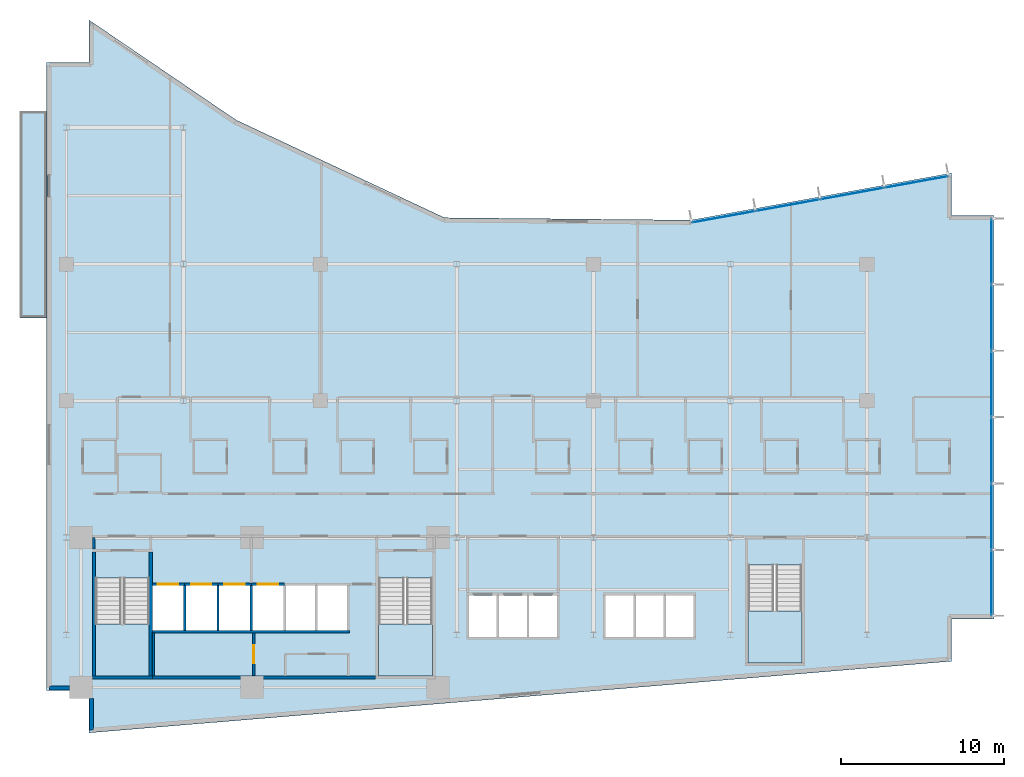
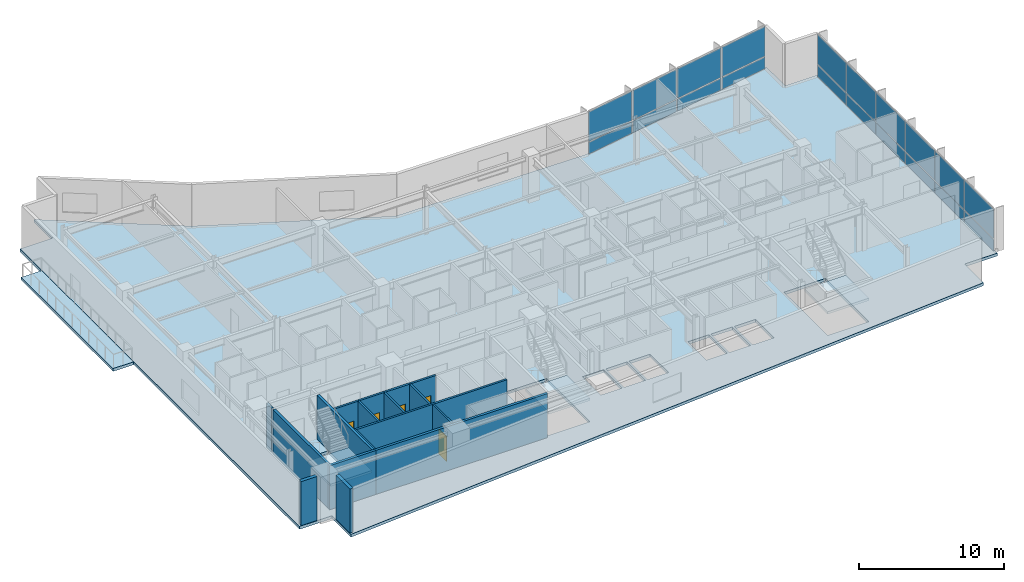
# One storey, part 11 of 21: 20 plates, 17 walls, 5 doors, 5 slabs, 5 openings, 5 elements without a shape of their own.
"""IFC4 building model written with IfcOpenShell, lengths in metres."""

import ifcopenshell
import ifcopenshell.guid

model = None  # the IFC model being written
_history = None  # IfcOwnerHistory: only IFC2X3 demands one
_inside = {}  # id of a spatial element -> (the spatial element, [elements in it])
_under = {}  # id of a project, library or spatial element -> (it, [spatial elements below it])
_declared = {}  # id of a project -> (the project, [libraries it declares])
_typed = {}  # id of a type object -> (the type object, [elements of that type])
_made_of = {}  # id of a material, layer set ... -> (it, [elements and type objects made of it])


def new_model(schema):
    """Start an empty IFC model of exactly this schema.

    Asked for "IFC4X3", IfcOpenShell would pick the latest addendum, in which some entities
    have other attributes; the version numbers below select the first issue.
    IFC2X3 requires an IfcOwnerHistory on every rooted entity: one is made here for all.
    """
    global model, _history
    if schema == "IFC4X3":
        model = ifcopenshell.file(schema_version=(4, 3, 0, 0))
    else:
        model = ifcopenshell.file(schema=schema)
    _inside.clear()
    _under.clear()
    _declared.clear()
    _typed.clear()
    _made_of.clear()
    _history = None
    if model.schema == "IFC2X3":
        org = make("IfcOrganization", Name="unknown")
        user = make(
            "IfcPersonAndOrganization",
            ThePerson=make("IfcPerson", FamilyName="unknown"),
            TheOrganization=org,
        )
        app = make(
            "IfcApplication",
            ApplicationDeveloper=org,
            Version="unknown",
            ApplicationFullName="unknown",
            ApplicationIdentifier="unknown",
        )
        _history = make(
            "IfcOwnerHistory",
            OwningUser=user,
            OwningApplication=app,
            ChangeAction="ADDED",
            CreationDate=0,
        )
    return model


def make(cls, **values):
    """One entity of the class cls with the attributes given. An attribute that is None is left unset."""
    return model.create_entity(
        cls, **{name: value for name, value in values.items() if value is not None}
    )


def rooted(cls, **values):
    """An entity with a GlobalId (a new one), such as an element, a storey or a relation."""
    return make(cls, GlobalId=ifcopenshell.guid.new(), OwnerHistory=_history, **values)


def si_unit(unit_type, name, prefix=None):
    """IfcSIUnit, for example si_unit("LENGTHUNIT", "METRE", prefix="MILLI")."""
    return make("IfcSIUnit", UnitType=unit_type, Prefix=prefix, Name=name)


def assignment(units):
    """IfcUnitAssignment: the units of a project."""
    return None if units is None else make("IfcUnitAssignment", Units=units)


def point(xyz):
    """IfcCartesianPoint."""
    return None if xyz is None else make("IfcCartesianPoint", Coordinates=xyz)


def direction(xyz):
    """IfcDirection."""
    return None if xyz is None else make("IfcDirection", DirectionRatios=xyz)


def frame(location, z_axis=None, x_axis=None):
    """IfcAxis2Placement3D, a coordinate frame: its origin and axes. An axis left out is left unset."""
    return make(
        "IfcAxis2Placement3D",
        Location=point(location),
        Axis=direction(z_axis),
        RefDirection=direction(x_axis),
    )


def frame_2d(location, x_axis=None):
    """IfcAxis2Placement2D, a coordinate frame in the plane: its origin and x axis."""
    return make(
        "IfcAxis2Placement2D", Location=point(location), RefDirection=direction(x_axis)
    )


def origin():
    """The frame at (0, 0, 0) with its axes left unset."""
    return frame((0.0, 0.0, 0.0))


def origin_2d():
    """The frame at (0, 0) in the plane with its x axis left unset."""
    return frame_2d((0.0, 0.0))


def place(relative_to, where):
    """IfcLocalPlacement: puts the frame where relative to a parent placement (None: the world)."""
    return make(
        "IfcLocalPlacement", PlacementRelTo=relative_to, RelativePlacement=where
    )


def context(
    kind, dimensions, precision=None, world=None, true_north=None, identifier=None
):
    """IfcGeometricRepresentationContext, for example the 3D "Model" context."""
    return make(
        "IfcGeometricRepresentationContext",
        ContextIdentifier=identifier,
        ContextType=kind,
        CoordinateSpaceDimension=dimensions,
        Precision=precision,
        WorldCoordinateSystem=world,
        TrueNorth=true_north,
    )


def subcontext(parent, identifier, kind, view, scale=None):
    """IfcGeometricRepresentationSubContext, for example "Body" below "Model"."""
    return make(
        "IfcGeometricRepresentationSubContext",
        ContextIdentifier=identifier,
        ContextType=kind,
        ParentContext=parent,
        TargetScale=scale,
        TargetView=view,
    )


def project(units=None, contexts=None):
    """IfcProject with its units and contexts."""
    return rooted(
        "IfcProject",
        Name="project",
        RepresentationContexts=contexts,
        UnitsInContext=assignment(units),
    )


def spatial(cls, under=None, at=None, **own):
    """A site, building, storey or space (cls), placed at a placement, below another one or the project."""
    s = rooted(cls, ObjectPlacement=at, **own)
    if under is not None:
        _under.setdefault(under.id(), (under, []))[1].append(s)
    return s


def polyline(points):
    """IfcPolyline through the points."""
    return make("IfcPolyline", Points=[point(p) for p in points])


def profile(cls, at=None, kind="AREA", **sizes):
    """A parametric profile (cls). Its sizes go by their IFC names, for example OverallWidth=200.0."""
    return make(cls, ProfileType=kind, Position=at, **sizes)


def rectangle(**sizes):
    """IfcRectangleProfileDef."""
    return profile("IfcRectangleProfileDef", **sizes)


def outline(outer, holes=None, kind="AREA"):
    """IfcArbitraryClosedProfileDef: a profile drawn as a closed curve; with holes, ...WithVoids."""
    if holes is None:
        return make("IfcArbitraryClosedProfileDef", ProfileType=kind, OuterCurve=outer)
    return make(
        "IfcArbitraryProfileDefWithVoids",
        ProfileType=kind,
        OuterCurve=outer,
        InnerCurves=holes,
    )


def extrude(swept, where, along, depth):
    """IfcExtrudedAreaSolid: the profile swept, set in the frame where, extruded along a direction by depth."""
    return make(
        "IfcExtrudedAreaSolid",
        SweptArea=swept,
        Position=where,
        ExtrudedDirection=direction(along),
        Depth=depth,
    )


def shape(context_of_items, identifier, shape_type, items):
    """IfcShapeRepresentation: the items that make up one representation, for example the "Body"."""
    return make(
        "IfcShapeRepresentation",
        ContextOfItems=context_of_items,
        RepresentationIdentifier=identifier,
        RepresentationType=shape_type,
        Items=items,
    )


def material(Name=None, Category=None):
    """IfcMaterial."""
    return make("IfcMaterial", Name=Name, Category=Category)


def layer(
    of_material, thickness, ventilated=None, Name=None, Category=None, Priority=None
):
    """IfcMaterialLayer: one layer of a wall or slab, of a material (None: an air gap)."""
    return make(
        "IfcMaterialLayer",
        Material=of_material,
        LayerThickness=thickness,
        IsVentilated=ventilated,
        Name=Name,
        Category=Category,
        Priority=Priority,
    )


def layer_set(layers, Name=None):
    """IfcMaterialLayerSet."""
    return make("IfcMaterialLayerSet", MaterialLayers=layers, LayerSetName=Name)


def made_of(thing, what):
    """Note that an element or type object is made of a material, layer set ...; save() writes the relation."""
    if what is not None:
        _made_of.setdefault(what.id(), (what, []))[1].append(thing)
    return thing


def type_object(cls, material=None, **own):
    """A type object (cls), such as IfcWallType, which elements share."""
    return made_of(rooted(cls, **own), material)


def element(
    cls,
    number,
    at=None,
    inside=None,
    cuts=None,
    type_object=None,
    material=None,
    context=None,
    identifier="Body",
    shape_type=None,
    held_by="IfcProductDefinitionShape",
    body=None,
    shapes=None,
    **own,
):
    """One element of the class cls, such as IfcWall. Its Tag is "e" and its number.

    at: its placement. inside: the storey or other place that contains it. cuts: it is an
    opening in that element (IfcRelVoidsElement). A single representation is given by context,
    identifier, shape_type and body (its items); several are given by shapes. held_by: the class
    of the entity that holds the representations. save() writes the other relations.
    """
    e = rooted(cls, Tag="e%d" % number, ObjectPlacement=at, **own)
    if body is not None:
        shapes = [shape(context, identifier, shape_type, body)]
    if shapes is not None:
        e.Representation = make(held_by, Representations=shapes)
    if inside is not None:
        _inside.setdefault(inside.id(), (inside, []))[1].append(e)
    if cuts is not None:
        rooted(
            "IfcRelVoidsElement", RelatingBuildingElement=cuts, RelatedOpeningElement=e
        )
    if type_object is not None:
        _typed.setdefault(type_object.id(), (type_object, []))[1].append(e)
    return made_of(e, material)


def fill(opening, filler):
    """IfcRelFillsElement: the door or window that sits in an opening."""
    return rooted(
        "IfcRelFillsElement",
        RelatingOpeningElement=opening,
        RelatedBuildingElement=filler,
    )


def aggregate(whole, parts):
    """IfcRelAggregates: a whole, such as a stair, and the parts it consists of."""
    return rooted("IfcRelAggregates", RelatingObject=whole, RelatedObjects=parts)


def save(model, path):
    """Write the relations noted so far, then the file.

    IfcRelAggregates (storeys below a building ...), IfcRelContainedInSpatialStructure (elements
    in a storey), IfcRelDefinesByType, IfcRelAssociatesMaterial and IfcRelDeclares: one each for
    every whole, place, type object, material and project.
    """
    for whole, parts in _under.values():
        aggregate(whole, parts)
    for where, things in _inside.values():
        rooted(
            "IfcRelContainedInSpatialStructure",
            RelatedElements=things,
            RelatingStructure=where,
        )
    for kind, things in _typed.values():
        rooted("IfcRelDefinesByType", RelatedObjects=things, RelatingType=kind)
    for what, things in _made_of.values():
        rooted("IfcRelAssociatesMaterial", RelatedObjects=things, RelatingMaterial=what)
    for by, libraries in _declared.values():
        rooted("IfcRelDeclares", RelatingContext=by, RelatedDefinitions=libraries)
    model.write(path)


model = new_model("IFC4")

# Units and contexts
model_context = context("Model", 3, precision=1e-05, world=origin(), true_north=direction((0.0, 1.0)))
body_context = subcontext(model_context, "Body", "Model", "MODEL_VIEW")
ifc_project = project(units=[si_unit("LENGTHUNIT", "METRE"), si_unit("AREAUNIT", "SQUARE_METRE"), si_unit("VOLUMEUNIT", "CUBIC_METRE"), si_unit("PLANEANGLEUNIT", "RADIAN"), si_unit("MASSUNIT", "GRAM", prefix="KILO")], contexts=[model_context])

# Site, building, storey
site_placement = place(None, origin())
site = spatial("IfcSite", under=ifc_project, at=site_placement, CompositionType="ELEMENT")
building_placement = place(site_placement, origin())
building = spatial("IfcBuilding", under=site, at=building_placement, Name="Varnakote Quay Hospital", CompositionType="ELEMENT")
storey_placement = place(building_placement, frame((0.0, 0.0, 38.300048828125)))
storey = spatial("IfcBuildingStorey", under=building, at=storey_placement, Name="L09", CompositionType="ELEMENT", Elevation=38.300048828125)

# Curtain wall, plates
ifc_material_1 = material(Name="Anodised aluminium 6063-T6 Bronze", Category="aluminium")
ifc_layer_1 = layer(ifc_material_1, 0.18994140625)
ifc_layer_set_1 = layer_set([ifc_layer_1], Name="Anodised aluminium 6063-T6 Bronze")
curtain_wall_type = type_object("IfcCurtainWallType", Name="CW-SYS-2", PredefinedType="NOTDEFINED", material=ifc_layer_set_1)
curtain_wall_1_placement = place(storey_placement, origin())
curtain_wall_1 = element("IfcCurtainWall", 1, at=curtain_wall_1_placement, inside=storey, type_object=curtain_wall_type, Name="L09 Unitised Bronze Curtain Wall 1", PredefinedType="NOTDEFINED")
ifc_material_2 = material(Name="Double-glazed acoustic laminated glass", Category="glass")
ifc_layer_2 = layer(ifc_material_2, 0.031982421875)
ifc_layer_set_2 = layer_set([ifc_layer_2], Name="Double-glazed acoustic laminated glass")
plate_type = type_object("IfcPlateType", Name="CW-PNL-GLZ-32", PredefinedType="CURTAIN_PANEL", material=ifc_layer_set_2)
plate_1_placement = place(storey_placement, frame((58.0400390625, 9.21875, 0.07470703125), z_axis=(0.0, 0.0, 1.0), x_axis=(0.0, 1.0, 0.0)))
plate_1 = element("IfcPlate", 2, at=plate_1_placement, type_object=plate_type, Name="-2-L09-1 panel 1.1", PredefinedType="CURTAIN_PANEL", context=body_context, shape_type="SweptSolid", body=[
    extrude(rectangle(XDim=3.967529296875, YDim=0.031982421875, at=origin_2d()), origin(), (0.0, 0.0, 1.0), 0.987548828125),
])
plate_2_placement = place(storey_placement, frame((58.0400390625, 9.21875, 1.137451171875), z_axis=(0.0, 0.0, 1.0), x_axis=(0.0, 1.0, 0.0)))
plate_2 = element("IfcPlate", 3, at=plate_2_placement, type_object=plate_type, Name="-2-L09-1 panel 1.2", PredefinedType="CURTAIN_PANEL", context=body_context, shape_type="SweptSolid", body=[
    extrude(rectangle(XDim=3.967529296875, YDim=0.031982421875, at=origin_2d()), origin(), (0.0, 0.0, 1.0), 2.49755859375),
])
plate_3_placement = place(storey_placement, frame((58.0400390625, 13.280029296875, 0.07470703125), z_axis=(0.0, 0.0, 1.0), x_axis=(0.0, 1.0, 0.0)))
plate_3 = element("IfcPlate", 4, at=plate_3_placement, type_object=plate_type, Name="-2-L09-1 panel 2.1", PredefinedType="CURTAIN_PANEL", context=body_context, shape_type="SweptSolid", body=[
    extrude(rectangle(XDim=4.0048828125, YDim=0.031982421875, at=origin_2d()), origin(), (0.0, 0.0, 1.0), 0.987548828125),
])
plate_4_placement = place(storey_placement, frame((58.0400390625, 13.280029296875, 1.137451171875), z_axis=(0.0, 0.0, 1.0), x_axis=(0.0, 1.0, 0.0)))
plate_4 = element("IfcPlate", 5, at=plate_4_placement, type_object=plate_type, Name="-2-L09-1 panel 2.2", PredefinedType="CURTAIN_PANEL", context=body_context, shape_type="SweptSolid", body=[
    extrude(rectangle(XDim=4.0048828125, YDim=0.031982421875, at=origin_2d()), origin(), (0.0, 0.0, 1.0), 2.49755859375),
])
plate_5_placement = place(storey_placement, frame((58.0400390625, 17.360107421875, 0.07470703125), z_axis=(0.0, 0.0, 1.0), x_axis=(0.0, 1.0, 0.0)))
plate_5 = element("IfcPlate", 6, at=plate_5_placement, type_object=plate_type, Name="-2-L09-1 panel 3.1", PredefinedType="CURTAIN_PANEL", context=body_context, shape_type="SweptSolid", body=[
    extrude(rectangle(XDim=4.0048828125, YDim=0.031982421875, at=origin_2d()), origin(), (0.0, 0.0, 1.0), 0.987548828125),
])
plate_6_placement = place(storey_placement, frame((58.0400390625, 17.360107421875, 1.137451171875), z_axis=(0.0, 0.0, 1.0), x_axis=(0.0, 1.0, 0.0)))
plate_6 = element("IfcPlate", 7, at=plate_6_placement, type_object=plate_type, Name="-2-L09-1 panel 3.2", PredefinedType="CURTAIN_PANEL", context=body_context, shape_type="SweptSolid", body=[
    extrude(rectangle(XDim=4.0048828125, YDim=0.031982421875, at=origin_2d()), origin(), (0.0, 0.0, 1.0), 2.49755859375),
])
plate_7_placement = place(storey_placement, frame((58.0400390625, 21.43994140625, 0.07470703125), z_axis=(0.0, 0.0, 1.0), x_axis=(0.0, 1.0, 0.0)))
plate_7 = element("IfcPlate", 8, at=plate_7_placement, type_object=plate_type, Name="-2-L09-1 panel 4.1", PredefinedType="CURTAIN_PANEL", context=body_context, shape_type="SweptSolid", body=[
    extrude(rectangle(XDim=4.0048828125, YDim=0.031982421875, at=origin_2d()), origin(), (0.0, 0.0, 1.0), 0.987548828125),
])
plate_8_placement = place(storey_placement, frame((58.0400390625, 21.43994140625, 1.137451171875), z_axis=(0.0, 0.0, 1.0), x_axis=(0.0, 1.0, 0.0)))
plate_8 = element("IfcPlate", 9, at=plate_8_placement, type_object=plate_type, Name="-2-L09-1 panel 4.2", PredefinedType="CURTAIN_PANEL", context=body_context, shape_type="SweptSolid", body=[
    extrude(rectangle(XDim=4.0048828125, YDim=0.031982421875, at=origin_2d()), origin(), (0.0, 0.0, 1.0), 2.49755859375),
])
plate_9_placement = place(storey_placement, frame((58.0400390625, 25.52001953125, 0.07470703125), z_axis=(0.0, 0.0, 1.0), x_axis=(0.0, 1.0, 0.0)))
plate_9 = element("IfcPlate", 10, at=plate_9_placement, type_object=plate_type, Name="-2-L09-1 panel 5.1", PredefinedType="CURTAIN_PANEL", context=body_context, shape_type="SweptSolid", body=[
    extrude(rectangle(XDim=4.0048828125, YDim=0.031982421875, at=origin_2d()), origin(), (0.0, 0.0, 1.0), 0.987548828125),
])
plate_10_placement = place(storey_placement, frame((58.0400390625, 25.52001953125, 1.137451171875), z_axis=(0.0, 0.0, 1.0), x_axis=(0.0, 1.0, 0.0)))
plate_10 = element("IfcPlate", 11, at=plate_10_placement, type_object=plate_type, Name="-2-L09-1 panel 5.2", PredefinedType="CURTAIN_PANEL", context=body_context, shape_type="SweptSolid", body=[
    extrude(rectangle(XDim=4.0048828125, YDim=0.031982421875, at=origin_2d()), origin(), (0.0, 0.0, 1.0), 2.49755859375),
])
plate_11_placement = place(storey_placement, frame((58.0400390625, 29.581298828125, 0.07470703125), z_axis=(0.0, 0.0, 1.0), x_axis=(0.0, 1.0, 0.0)))
plate_11 = element("IfcPlate", 12, at=plate_11_placement, type_object=plate_type, Name="-2-L09-1 panel 6.1", PredefinedType="CURTAIN_PANEL", context=body_context, shape_type="SweptSolid", body=[
    extrude(rectangle(XDim=3.967529296875, YDim=0.031982421875, at=origin_2d()), origin(), (0.0, 0.0, 1.0), 0.987548828125),
])
plate_12_placement = place(storey_placement, frame((58.0400390625, 29.581298828125, 1.137451171875), z_axis=(0.0, 0.0, 1.0), x_axis=(0.0, 1.0, 0.0)))
plate_12 = element("IfcPlate", 13, at=plate_12_placement, type_object=plate_type, Name="-2-L09-1 panel 6.2", PredefinedType="CURTAIN_PANEL", context=body_context, shape_type="SweptSolid", body=[
    extrude(rectangle(XDim=3.967529296875, YDim=0.031982421875, at=origin_2d()), origin(), (0.0, 0.0, 1.0), 2.49755859375),
])
aggregate(curtain_wall_1, [plate_1, plate_2, plate_3, plate_4, plate_5, plate_6, plate_7, plate_8, plate_9, plate_10, plate_11, plate_12])

curtain_wall_2_placement = place(storey_placement, origin())
curtain_wall_2 = element("IfcCurtainWall", 14, at=curtain_wall_2_placement, inside=storey, type_object=curtain_wall_type, Name="L09 Unitised Bronze Curtain Wall 2", PredefinedType="NOTDEFINED")
plate_13_placement = place(storey_placement, frame((53.440185546875, 33.84716796875, 0.07470703125), z_axis=(0.0, 0.0, 1.0), x_axis=(-0.984058295766, -0.177846199098, 0.0)))
plate_13 = element("IfcPlate", 15, at=plate_13_placement, type_object=plate_type, Name="-2-L09-2 panel 1.1", PredefinedType="CURTAIN_PANEL", context=body_context, shape_type="SweptSolid", body=[
    extrude(rectangle(XDim=3.914306640625, YDim=0.031982421875, at=origin_2d()), origin(), (0.0, 0.0, 1.0), 0.987548828125),
])
plate_14_placement = place(storey_placement, frame((53.440185546875, 33.84716796875, 1.137451171875), z_axis=(0.0, 0.0, 1.0), x_axis=(-0.984058295766, -0.177846199098, 0.0)))
plate_14 = element("IfcPlate", 16, at=plate_14_placement, type_object=plate_type, Name="-2-L09-2 panel 1.2", PredefinedType="CURTAIN_PANEL", context=body_context, shape_type="SweptSolid", body=[
    extrude(rectangle(XDim=3.914306640625, YDim=0.031982421875, at=origin_2d()), origin(), (0.0, 0.0, 1.0), 2.49755859375),
])
plate_15_placement = place(storey_placement, frame((49.49609375, 33.13427734375, 0.07470703125), z_axis=(0.0, 0.0, 1.0), x_axis=(-0.984058295766, -0.177846199098, 0.0)))
plate_15 = element("IfcPlate", 17, at=plate_15_placement, type_object=plate_type, Name="-2-L09-2 panel 2.1", PredefinedType="CURTAIN_PANEL", context=body_context, shape_type="SweptSolid", body=[
    extrude(rectangle(XDim=3.951904296875, YDim=0.031982421875, at=origin_2d()), origin(), (0.0, 0.0, 1.0), 0.987548828125),
])
plate_16_placement = place(storey_placement, frame((49.49609375, 33.13427734375, 1.137451171875), z_axis=(0.0, 0.0, 1.0), x_axis=(-0.984058295766, -0.177846199098, 0.0)))
plate_16 = element("IfcPlate", 18, at=plate_16_placement, type_object=plate_type, Name="-2-L09-2 panel 2.2", PredefinedType="CURTAIN_PANEL", context=body_context, shape_type="SweptSolid", body=[
    extrude(rectangle(XDim=3.951904296875, YDim=0.031982421875, at=origin_2d()), origin(), (0.0, 0.0, 1.0), 2.49755859375),
])
plate_17_placement = place(storey_placement, frame((45.533447265625, 32.418212890625, 0.07470703125), z_axis=(0.0, 0.0, 1.0), x_axis=(-0.984058295766, -0.177846199098, 0.0)))
plate_17 = element("IfcPlate", 19, at=plate_17_placement, type_object=plate_type, Name="-2-L09-2 panel 3.1", PredefinedType="CURTAIN_PANEL", context=body_context, shape_type="SweptSolid", body=[
    extrude(rectangle(XDim=3.951904296875, YDim=0.031982421875, at=origin_2d()), origin(), (0.0, 0.0, 1.0), 0.987548828125),
])
plate_18_placement = place(storey_placement, frame((45.533447265625, 32.418212890625, 1.137451171875), z_axis=(0.0, 0.0, 1.0), x_axis=(-0.984058295766, -0.177846199098, 0.0)))
plate_18 = element("IfcPlate", 20, at=plate_18_placement, type_object=plate_type, Name="-2-L09-2 panel 3.2", PredefinedType="CURTAIN_PANEL", context=body_context, shape_type="SweptSolid", body=[
    extrude(rectangle(XDim=3.951904296875, YDim=0.031982421875, at=origin_2d()), origin(), (0.0, 0.0, 1.0), 2.49755859375),
])
plate_19_placement = place(storey_placement, frame((41.58935546875, 31.705322265625, 0.07470703125), z_axis=(0.0, 0.0, 1.0), x_axis=(-0.984058295766, -0.177846199098, 0.0)))
plate_19 = element("IfcPlate", 21, at=plate_19_placement, type_object=plate_type, Name="-2-L09-2 panel 4.1", PredefinedType="CURTAIN_PANEL", context=body_context, shape_type="SweptSolid", body=[
    extrude(rectangle(XDim=3.914306640625, YDim=0.031982421875, at=origin_2d()), origin(), (0.0, 0.0, 1.0), 0.987548828125),
])
plate_20_placement = place(storey_placement, frame((41.58935546875, 31.705322265625, 1.137451171875), z_axis=(0.0, 0.0, 1.0), x_axis=(-0.984058295766, -0.177846199098, 0.0)))
plate_20 = element("IfcPlate", 22, at=plate_20_placement, type_object=plate_type, Name="-2-L09-2 panel 4.2", PredefinedType="CURTAIN_PANEL", context=body_context, shape_type="SweptSolid", body=[
    extrude(rectangle(XDim=3.914306640625, YDim=0.031982421875, at=origin_2d()), origin(), (0.0, 0.0, 1.0), 2.49755859375),
])
aggregate(curtain_wall_2, [plate_13, plate_14, plate_15, plate_16, plate_17, plate_18, plate_19, plate_20])

# Stair, slab
ifc_material_3 = material(Name="Concrete N40 (f'c 40 MPa)", Category="concrete")
stair_type = type_object("IfcStairType", Name="STR-CORE-1580", PredefinedType="HALF_TURN_STAIR", material=ifc_material_3)
stair_1_placement = place(storey_placement, origin())
stair_1 = element("IfcStair", 23, at=stair_1_placement, inside=storey, type_object=stair_type, Name="L09 Fire-Isolated Exit Stair ST-01", PredefinedType="HALF_TURN_STAIR")
ifc_material_4 = material(Name="Concrete N40 (f'c 40 MPa)", Category="concrete")
ifc_layer_3 = layer(ifc_material_4, 0.199951171875)
ifc_layer_set_3 = layer_set([ifc_layer_3], Name="Concrete N40 (f'c 40 MPa)")
slab_type_1 = type_object("IfcSlabType", Name="SLB-STAIR-LND-200", PredefinedType="LANDING", material=ifc_layer_set_3)
slab_1_placement = place(storey_placement, frame((0.0, 0.0, 1.77490234375)))
slab_1 = element("IfcSlab", 24, at=slab_1_placement, type_object=slab_type_1, Name="ST-01 landing 1", PredefinedType="LANDING", context=body_context, shape_type="SweptSolid", body=[
    extrude(outline(polyline([(3.0, 6.699951171875), (3.0, 3.5), (6.300048828125, 3.5), (6.300048828125, 6.699951171875), (3.0, 6.699951171875)])), origin(), (0.0, 0.0, 1.0), 0.199951171875),
])
aggregate(stair_1, [slab_1])

stair_2_placement = place(storey_placement, origin())
stair_2 = element("IfcStair", 25, at=stair_2_placement, inside=storey, type_object=stair_type, Name="L09 Fire-Isolated Exit Stair ST-02", PredefinedType="HALF_TURN_STAIR")
slab_2_placement = place(storey_placement, frame((0.0, 0.0, 1.77490234375)))
slab_2 = element("IfcSlab", 26, at=slab_2_placement, type_object=slab_type_1, Name="ST-02 landing 1", PredefinedType="LANDING", context=body_context, shape_type="SweptSolid", body=[
    extrude(outline(polyline([(20.39990234375, 6.699951171875), (20.39990234375, 3.5), (23.699951171875, 3.5), (23.699951171875, 6.699951171875), (20.39990234375, 6.699951171875)])), origin(), (0.0, 0.0, 1.0), 0.199951171875),
])
aggregate(stair_2, [slab_2])

stair_3_placement = place(storey_placement, origin())
stair_3 = element("IfcStair", 27, at=stair_3_placement, inside=storey, type_object=stair_type, Name="L09 Fire-Isolated Exit Stair ST-03", PredefinedType="HALF_TURN_STAIR")
slab_3_placement = place(storey_placement, frame((0.0, 0.0, 1.77490234375)))
slab_3 = element("IfcSlab", 28, at=slab_3_placement, type_object=slab_type_1, Name="ST-03 landing 1", PredefinedType="LANDING", context=body_context, shape_type="SweptSolid", body=[
    extrude(outline(polyline([(43.10009765625, 7.5), (43.10009765625, 4.300048828125), (46.39990234375, 4.300048828125), (46.39990234375, 7.5), (43.10009765625, 7.5)])), origin(), (0.0, 0.0, 1.0), 0.199951171875),
])
aggregate(stair_3, [slab_3])

# Slabs
ifc_material_5 = material(Name="Concrete N50 (f'c 50 MPa)", Category="concrete")
ifc_layer_4 = layer(ifc_material_5, 0.239990234375)
ifc_layer_set_4 = layer_set([ifc_layer_4], Name="Concrete N50 (f'c 50 MPa)")
slab_type_2 = type_object("IfcSlabType", Name="SLB-TERR-200", PredefinedType="FLOOR", material=ifc_layer_set_4)
slab_4_placement = place(storey_placement, frame((0.0, 0.0, -0.239990234375)))
element("IfcSlab", 29, at=slab_4_placement, inside=storey, type_object=slab_type_2, Name="L09 Waterfront Healing Terrace Slab", PredefinedType="FLOOR", context=body_context, shape_type="SweptSolid", body=[
    extrude(outline(polyline([(0.00390625, 25.5), (0.00390625, 38.199951171875), (-1.639892578125, 38.199951171875), (-1.639892578125, 25.5), (0.00390625, 25.5)])), origin(), (0.0, 0.0, 1.0), 0.239990234375),
])
ifc_material_6 = material(Name="Concrete N50 (f'c 50 MPa)", Category="concrete")
ifc_layer_5 = layer(ifc_material_6, 0.239990234375)
ifc_layer_set_5 = layer_set([ifc_layer_5], Name="Concrete N50 (f'c 50 MPa)")
slab_type_3 = type_object("IfcSlabType", Name="SLB-WARD-200", PredefinedType="FLOOR", material=ifc_layer_set_5)
slab_5_placement = place(storey_placement, frame((0.0, 0.0, -0.239990234375)))
element("IfcSlab", 30, at=slab_5_placement, inside=storey, type_object=slab_type_3, Name="L09 Primary Floor Slab", PredefinedType="FLOOR", context=body_context, shape_type="SweptSolid", body=[
    extrude(outline(polyline([(0.0, 2.60009765625), (2.60009765625, 2.60009765625), (2.60009765625, 0.0), (55.60009765625, 4.39990234375), (55.60009765625, 7.0), (58.199951171875, 7.0), (58.199951171875, 31.800048828125), (55.60009765625, 31.800048828125), (55.60009765625, 34.39990234375), (39.575927734375, 31.50390625), (24.444091796875, 31.652099609375), (11.639892578125, 37.656005859375), (2.60009765625, 43.800048828125), (2.60009765625, 41.199951171875), (0.0, 41.199951171875), (0.0, 2.60009765625)]), holes=[polyline([(3.0, 3.5), (6.300048828125, 3.5), (6.300048828125, 9.49951171875), (3.0, 9.49951171875), (3.0, 3.5)]), polyline([(20.39990234375, 3.5), (23.699951171875, 3.5), (23.699951171875, 9.49951171875), (20.39990234375, 9.49951171875), (20.39990234375, 3.5)]), polyline([(43.10009765625, 4.300048828125), (46.39990234375, 4.300048828125), (46.39990234375, 10.29931640625), (43.10009765625, 10.29931640625), (43.10009765625, 4.300048828125)]), polyline([(6.5, 6.300048828125), (8.39990234375, 6.300048828125), (8.39990234375, 9.050048828125), (6.5, 9.050048828125), (6.5, 6.300048828125)]), polyline([(8.550048828125, 6.300048828125), (10.449951171875, 6.300048828125), (10.449951171875, 9.050048828125), (8.550048828125, 9.050048828125), (8.550048828125, 6.300048828125)]), polyline([(10.60009765625, 6.300048828125), (12.5, 6.300048828125), (12.5, 9.050048828125), (10.60009765625, 9.050048828125), (10.60009765625, 6.300048828125)]), polyline([(12.64990234375, 6.300048828125), (14.550048828125, 6.300048828125), (14.550048828125, 9.050048828125), (12.64990234375, 9.050048828125), (12.64990234375, 6.300048828125)]), polyline([(14.699951171875, 6.300048828125), (16.5, 6.300048828125), (16.5, 9.050048828125), (14.699951171875, 9.050048828125), (14.699951171875, 6.300048828125)]), polyline([(16.64990234375, 6.300048828125), (18.449951171875, 6.300048828125), (18.449951171875, 9.050048828125), (16.64990234375, 9.050048828125), (16.64990234375, 6.300048828125)]), polyline([(25.949951171875, 5.89990234375), (27.64990234375, 5.89990234375), (27.64990234375, 8.449951171875), (25.949951171875, 8.449951171875), (25.949951171875, 5.89990234375)]), polyline([(27.800048828125, 5.89990234375), (29.5, 5.89990234375), (29.5, 8.449951171875), (27.800048828125, 8.449951171875), (27.800048828125, 5.89990234375)]), polyline([(29.64990234375, 5.89990234375), (31.35009765625, 5.89990234375), (31.35009765625, 8.449951171875), (29.64990234375, 8.449951171875), (29.64990234375, 5.89990234375)]), polyline([(34.35009765625, 5.89990234375), (36.050048828125, 5.89990234375), (36.050048828125, 8.449951171875), (34.35009765625, 8.449951171875), (34.35009765625, 5.89990234375)]), polyline([(36.199951171875, 5.89990234375), (37.89990234375, 5.89990234375), (37.89990234375, 8.449951171875), (36.199951171875, 8.449951171875), (36.199951171875, 5.89990234375)]), polyline([(38.050048828125, 5.89990234375), (39.75, 5.89990234375), (39.75, 8.449951171875), (38.050048828125, 8.449951171875), (38.050048828125, 5.89990234375)])]), origin(), (0.0, 0.0, 1.0), 0.239990234375),
])

# Walls
ifc_material_7 = material(Name="Fire-rated acoustic gypsum stud wall", Category="gypsum")
ifc_layer_6 = layer(ifc_material_7, 0.159912109375)
ifc_layer_set_6 = layer_set([ifc_layer_6], Name="Fire-rated acoustic gypsum stud wall")
wall_type_1 = type_object("IfcWallType", Name="WL-COMP-160", PredefinedType="PARTITIONING", material=ifc_layer_set_6)
wall_1_placement = place(storey_placement, frame((2.8798828125, 11.300048828125, 0.0), z_axis=(0.0, 0.0, 1.0), x_axis=(0.0, 1.0, 0.0)))
element("IfcWall", 31, at=wall_1_placement, inside=storey, type_object=wall_type_1, Name="L09 West Stair Vestibule West Wall", PredefinedType="PARTITIONING", context=body_context, shape_type="SweptSolid", body=[
    extrude(rectangle(XDim=0.699951171875, YDim=0.159912109375, at=frame_2d((0.35009765625, 0.0))), origin(), (0.0, 0.0, 1.0), 3.7099609375),
])
ifc_material_8 = material(Name="Concrete N80 (f'c 80 MPa)", Category="concrete")
ifc_layer_7 = layer(ifc_material_8, 0.199951171875)
ifc_layer_set_7 = layer_set([ifc_layer_7], Name="Concrete N80 (f'c 80 MPa)")
wall_type_2 = type_object("IfcWallType", Name="WL-CORE-N80-200", PredefinedType="SHEAR", material=ifc_layer_set_7)
wall_2_placement = place(storey_placement, frame((6.5, 3.39990234375, 0.0), z_axis=(0.0, 0.0, 1.0), x_axis=(1.0, 0.0, 0.0)))
element("IfcWall", 32, at=wall_2_placement, inside=storey, type_object=wall_type_2, Name="L09 Rear Core South Shear Wall", PredefinedType="SHEAR", context=body_context, shape_type="SweptSolid", body=[
    extrude(rectangle(XDim=13.699951171875, YDim=0.199951171875, at=frame_2d((6.85009765625, 0.0))), origin(), (0.0, 0.0, 1.0), 3.7099609375),
])
ifc_material_9 = material(Name="Precast concrete N50 (f'c 50 MPa)", Category="concrete")
ifc_layer_8 = layer(ifc_material_9, 0.260009765625)
ifc_layer_set_8 = layer_set([ifc_layer_8], Name="Precast concrete N50 (f'c 50 MPa)")
wall_type_3 = type_object("IfcWallType", Name="WL-EXT-BRICK-260", PredefinedType="STANDARD", material=ifc_layer_set_8)
wall_3_placement = place(storey_placement, frame((2.760009765625, 2.114990234375, 0.0), z_axis=(0.0, 0.0, 1.0), x_axis=(0.0, -1.0, 0.0)))
element("IfcWall", 33, at=wall_3_placement, inside=storey, type_object=wall_type_3, Name="L09 Brick-Faced Precast Exterior Wall", PredefinedType="STANDARD", context=body_context, shape_type="SweptSolid", body=[
    extrude(rectangle(XDim=1.941162109375, YDim=0.260009765625, at=frame_2d((0.970703125, 0.0))), origin(), (0.0, 0.0, 1.0), 3.7099609375),
])
wall_4_placement = place(storey_placement, frame((0.159912109375, 2.760009765625, 0.0), z_axis=(0.0, 0.0, 1.0), x_axis=(1.0, 0.0, 0.0)))
element("IfcWall", 34, at=wall_4_placement, inside=storey, type_object=wall_type_3, Name="L09 Brick-Faced Precast Exterior Wall", PredefinedType="STANDARD", context=body_context, shape_type="SweptSolid", body=[
    extrude(rectangle(XDim=1.255126953125, YDim=0.260009765625, at=frame_2d((0.62744140625, 0.0))), origin(), (0.0, 0.0, 1.0), 3.7099609375),
])
ifc_material_10 = material(Name="Concrete N50 (f'c 50 MPa)", Category="concrete")
ifc_layer_9 = layer(ifc_material_10, 0.14990234375)
ifc_layer_set_9 = layer_set([ifc_layer_9], Name="Concrete N50 (f'c 50 MPa)")
wall_type_4 = type_object("IfcWallType", Name="WL-SHAFT-N50-150", PredefinedType="SHEAR", material=ifc_layer_set_9)
for number, where, z_axis, x_axis, name in (
    (35, (8.47509765625, 6.300048828125, 0.0), (0.0, 0.0, 1.0), (0.0, 1.0, 0.0), "L09 LF-FF1 Hoistway Divider Wall"),
    (36, (10.52490234375, 6.300048828125, 0.0), (0.0, 0.0, 1.0), (0.0, 1.0, 0.0), "L09 LF-FF2 Hoistway Divider Wall"),
    (37, (12.574951171875, 6.300048828125, 0.0), (0.0, 0.0, 1.0), (0.0, 1.0, 0.0), "L09 LF-SV1 Hoistway Divider Wall"),
):
    element("IfcWall", number, at=place(storey_placement, frame(where, z_axis=z_axis, x_axis=x_axis)), inside=storey, type_object=wall_type_4, Name=name, PredefinedType="SHEAR", context=body_context, shape_type="SweptSolid", body=[
        extrude(rectangle(XDim=2.75, YDim=0.14990234375, at=frame_2d((1.375, 0.0))), origin(), (0.0, 0.0, 1.0), 3.7099609375),
    ])
ifc_material_11 = material(Name="Concrete N50 (f'c 50 MPa)", Category="concrete")
ifc_layer_10 = layer(ifc_material_11, 0.159912109375)
ifc_layer_set_10 = layer_set([ifc_layer_10], Name="Concrete N50 (f'c 50 MPa)")
wall_type_5 = type_object("IfcWallType", Name="WL-SHAFT-N50-160", PredefinedType="SHEAR", material=ifc_layer_set_10)
wall_5_placement = place(storey_placement, frame((6.5, 6.219970703125, 0.0), z_axis=(0.0, 0.0, 1.0), x_axis=(1.0, 0.0, 0.0)))
element("IfcWall", 38, at=wall_5_placement, inside=storey, type_object=wall_type_5, Name="L09 REAR Lift Bank Back Shear Wall", PredefinedType="SHEAR", context=body_context, shape_type="SweptSolid", body=[
    extrude(rectangle(XDim=12.110107421875, YDim=0.159912109375, at=frame_2d((6.05517578125, 0.0))), origin(), (0.0, 0.0, 1.0), 3.7099609375),
])

# Wall, opening, door
wall_6_placement = place(storey_placement, frame((6.5, 9.1298828125, 0.0), z_axis=(0.0, 0.0, 1.0), x_axis=(1.0, 0.0, 0.0)))
wall_6 = element("IfcWall", 39, at=wall_6_placement, inside=storey, type_object=wall_type_5, Name="L09 LF-FF1 Hoistway Front Wall", PredefinedType="SHEAR", context=body_context, shape_type="SweptSolid", body=[
    extrude(rectangle(XDim=1.97509765625, YDim=0.159912109375, at=frame_2d((0.987548828125, 0.0))), origin(), (0.0, 0.0, 1.0), 3.7099609375),
])
opening_1_placement = place(wall_6_placement, frame((0.324951171875, 0.0, 0.0)))
opening_1 = element("IfcOpeningElement", 40, at=opening_1_placement, cuts=wall_6, Name="Opening LD-FF1-L09", PredefinedType="OPENING", context=body_context, shape_type="SweptSolid", body=[
    extrude(rectangle(XDim=1.25, YDim=2.14990234375, at=frame_2d((0.625, 1.074951171875))), frame((0.0, 0.08984375, 0.0), z_axis=(0.0, -1.0, 0.0), x_axis=(1.0, 0.0, 0.0)), (0.0, 0.0, 1.0), 0.179931640625),
])
ifc_material_12 = material(Name="Stainless steel lift landing sliding door", Category="steel")
door_type_1 = type_object("IfcDoorType", Name="DR-LIFT-LD-1250x2150", OperationType="NOTDEFINED", PredefinedType="DOOR", material=ifc_material_12)
door_1_placement = place(opening_1_placement, origin())
door_1 = element("IfcDoor", 41, at=door_1_placement, inside=storey, type_object=door_type_1, Name="L09 LF-FF1 Lift Landing Sliding Door", OperationType="SLIDING_TO_LEFT", OverallHeight=2.14990234375, OverallWidth=1.25, PredefinedType="DOOR", context=body_context, shape_type="SweptSolid", body=[
    extrude(rectangle(XDim=1.25, YDim=2.14990234375, at=frame_2d((0.625, 1.074951171875))), frame((0.0, 0.02490234375, 0.0), z_axis=(0.0, -1.0, 0.0), x_axis=(1.0, 0.0, 0.0)), (0.0, 0.0, 1.0), 0.050048828125),
])
fill(opening_1, door_1)

wall_7_placement = place(storey_placement, frame((8.47509765625, 9.1298828125, 0.0), z_axis=(0.0, 0.0, 1.0), x_axis=(1.0, 0.0, 0.0)))
wall_7 = element("IfcWall", 42, at=wall_7_placement, inside=storey, type_object=wall_type_5, Name="L09 LF-FF2 Hoistway Front Wall", PredefinedType="SHEAR", context=body_context, shape_type="SweptSolid", body=[
    extrude(rectangle(XDim=2.0498046875, YDim=0.159912109375, at=frame_2d((1.02490234375, 0.0))), origin(), (0.0, 0.0, 1.0), 3.7099609375),
])
opening_2_placement = place(wall_7_placement, frame((0.39990234375, 0.0, 0.0)))
opening_2 = element("IfcOpeningElement", 43, at=opening_2_placement, cuts=wall_7, Name="Opening LD-FF2-L09", PredefinedType="OPENING", context=body_context, shape_type="SweptSolid", body=[
    extrude(rectangle(XDim=1.25, YDim=2.14990234375, at=frame_2d((0.625, 1.074951171875))), frame((0.0, 0.08984375, 0.0), z_axis=(0.0, -1.0, 0.0), x_axis=(1.0, 0.0, 0.0)), (0.0, 0.0, 1.0), 0.179931640625),
])
door_2_placement = place(opening_2_placement, origin())
door_2 = element("IfcDoor", 44, at=door_2_placement, inside=storey, type_object=door_type_1, Name="L09 LF-FF2 Lift Landing Sliding Door", OperationType="SLIDING_TO_LEFT", OverallHeight=2.14990234375, OverallWidth=1.25, PredefinedType="DOOR", context=body_context, shape_type="SweptSolid", body=[
    extrude(rectangle(XDim=1.25, YDim=2.14990234375, at=frame_2d((0.625, 1.074951171875))), frame((0.0, 0.02490234375, 0.0), z_axis=(0.0, -1.0, 0.0), x_axis=(1.0, 0.0, 0.0)), (0.0, 0.0, 1.0), 0.050048828125),
])
fill(opening_2, door_2)

wall_8_placement = place(storey_placement, frame((10.52490234375, 9.1298828125, 0.0), z_axis=(0.0, 0.0, 1.0), x_axis=(1.0, 0.0, 0.0)))
wall_8 = element("IfcWall", 45, at=wall_8_placement, inside=storey, type_object=wall_type_5, Name="L09 LF-SV1 Hoistway Front Wall", PredefinedType="SHEAR", context=body_context, shape_type="SweptSolid", body=[
    extrude(rectangle(XDim=2.050048828125, YDim=0.159912109375, at=frame_2d((1.02490234375, 0.0))), origin(), (0.0, 0.0, 1.0), 3.7099609375),
])
opening_3_placement = place(wall_8_placement, frame((0.39990234375, 0.0, 0.0)))
opening_3 = element("IfcOpeningElement", 46, at=opening_3_placement, cuts=wall_8, Name="Opening LD-SV1-L09", PredefinedType="OPENING", context=body_context, shape_type="SweptSolid", body=[
    extrude(rectangle(XDim=1.25, YDim=2.14990234375, at=frame_2d((0.625, 1.074951171875))), frame((0.0, 0.08984375, 0.0), z_axis=(0.0, -1.0, 0.0), x_axis=(1.0, 0.0, 0.0)), (0.0, 0.0, 1.0), 0.179931640625),
])
door_3_placement = place(opening_3_placement, origin())
door_3 = element("IfcDoor", 47, at=door_3_placement, inside=storey, type_object=door_type_1, Name="L09 LF-SV1 Lift Landing Sliding Door", OperationType="SLIDING_TO_LEFT", OverallHeight=2.14990234375, OverallWidth=1.25, PredefinedType="DOOR", context=body_context, shape_type="SweptSolid", body=[
    extrude(rectangle(XDim=1.25, YDim=2.14990234375, at=frame_2d((0.625, 1.074951171875))), frame((0.0, 0.02490234375, 0.0), z_axis=(0.0, -1.0, 0.0), x_axis=(1.0, 0.0, 0.0)), (0.0, 0.0, 1.0), 0.050048828125),
])
fill(opening_3, door_3)

wall_9_placement = place(storey_placement, frame((12.574951171875, 9.1298828125, 0.0), z_axis=(0.0, 0.0, 1.0), x_axis=(1.0, 0.0, 0.0)))
wall_9 = element("IfcWall", 48, at=wall_9_placement, inside=storey, type_object=wall_type_5, Name="L09 LF-SV2 Hoistway Front Wall", PredefinedType="SHEAR", context=body_context, shape_type="SweptSolid", body=[
    extrude(rectangle(XDim=2.050048828125, YDim=0.159912109375, at=frame_2d((1.02490234375, 0.0))), origin(), (0.0, 0.0, 1.0), 3.7099609375),
])
opening_4_placement = place(wall_9_placement, frame((0.39990234375, 0.0, 0.0)))
opening_4 = element("IfcOpeningElement", 49, at=opening_4_placement, cuts=wall_9, Name="Opening LD-SV2-L09", PredefinedType="OPENING", context=body_context, shape_type="SweptSolid", body=[
    extrude(rectangle(XDim=1.25, YDim=2.14990234375, at=frame_2d((0.625, 1.074951171875))), frame((0.0, 0.08984375, 0.0), z_axis=(0.0, -1.0, 0.0), x_axis=(1.0, 0.0, 0.0)), (0.0, 0.0, 1.0), 0.179931640625),
])
door_4_placement = place(opening_4_placement, origin())
door_4 = element("IfcDoor", 50, at=door_4_placement, inside=storey, type_object=door_type_1, Name="L09 LF-SV2 Lift Landing Sliding Door", OperationType="SLIDING_TO_LEFT", OverallHeight=2.14990234375, OverallWidth=1.25, PredefinedType="DOOR", context=body_context, shape_type="SweptSolid", body=[
    extrude(rectangle(XDim=1.25, YDim=2.14990234375, at=frame_2d((0.625, 1.074951171875))), frame((0.0, 0.02490234375, 0.0), z_axis=(0.0, -1.0, 0.0), x_axis=(1.0, 0.0, 0.0)), (0.0, 0.0, 1.0), 0.050048828125),
])
fill(opening_4, door_4)

# Walls
ifc_material_13 = material(Name="Concrete N50 (f'c 50 MPa)", Category="concrete")
ifc_layer_11 = layer(ifc_material_13, 0.199951171875)
ifc_layer_set_11 = layer_set([ifc_layer_11], Name="Concrete N50 (f'c 50 MPa)")
wall_type_6 = type_object("IfcWallType", Name="WL-SHAFT-N50-200", PredefinedType="SHEAR", material=ifc_layer_set_11)
wall_10_placement = place(storey_placement, frame((2.800048828125, 3.39990234375, 0.0), z_axis=(0.0, 0.0, 1.0), x_axis=(1.0, 0.0, 0.0)))
element("IfcWall", 51, at=wall_10_placement, inside=storey, type_object=wall_type_6, Name="L09 Stair ST1 South Shaft Wall", PredefinedType="SHEAR", context=body_context, shape_type="SweptSolid", body=[
    extrude(rectangle(XDim=3.699951171875, YDim=0.199951171875, at=frame_2d((1.85009765625, 0.0))), origin(), (0.0, 0.0, 1.0), 3.7099609375),
])
for number, where, z_axis, x_axis, name in (
    (52, (2.89990234375, 3.5, 0.0), (0.0, 0.0, 1.0), (0.0, 1.0, 0.0), "L09 Stair ST1 West Shaft Wall"),
    (53, (6.39990234375, 3.5, 0.0), (0.0, 0.0, 1.0), (0.0, 1.0, 0.0), "L09 Stair ST1 East Shaft Wall"),
):
    element("IfcWall", number, at=place(storey_placement, frame(where, z_axis=z_axis, x_axis=x_axis)), inside=storey, type_object=wall_type_6, Name=name, PredefinedType="SHEAR", context=body_context, shape_type="SweptSolid", body=[
        extrude(rectangle(XDim=7.60009765625, YDim=0.199951171875, at=frame_2d((3.800048828125, 0.0))), origin(), (0.0, 0.0, 1.0), 3.7099609375),
    ])
ifc_material_14 = material(Name="Smoke-proof clinical partition", Category="gypsum")
ifc_layer_12 = layer(ifc_material_14, 0.1201171875)
ifc_layer_set_12 = layer_set([ifc_layer_12], Name="Smoke-proof clinical partition")
wall_type_7 = type_object("IfcWallType", Name="WL-SMOKE-120", PredefinedType="PARTITIONING", material=ifc_layer_set_12)
wall_11_placement = place(storey_placement, frame((6.56005859375, 3.52001953125, 0.0), z_axis=(0.0, 0.0, 1.0), x_axis=(0.0, 1.0, 0.0)))
element("IfcWall", 54, at=wall_11_placement, inside=storey, type_object=wall_type_7, Name="L09 Core West Store West Wall", PredefinedType="PARTITIONING", context=body_context, shape_type="SweptSolid", body=[
    extrude(rectangle(XDim=2.619873046875, YDim=0.1201171875, at=frame_2d((1.31005859375, 0.0))), origin(), (0.0, 0.0, 1.0), 3.7099609375),
])

# Wall, opening, door
ifc_material_15 = material(Name="Fire-rated clinical gypsum partition", Category="gypsum")
ifc_layer_13 = layer(ifc_material_15, 0.139892578125)
ifc_layer_set_13 = layer_set([ifc_layer_13], Name="Fire-rated clinical gypsum partition")
wall_type_8 = type_object("IfcWallType", Name="WL-WARD-140", PredefinedType="PARTITIONING", material=ifc_layer_set_13)
wall_12_placement = place(storey_placement, frame((12.72998046875, 3.52001953125, 0.0), z_axis=(0.0, 0.0, 1.0), x_axis=(0.0, 1.0, 0.0)))
wall_12 = element("IfcWall", 55, at=wall_12_placement, inside=storey, type_object=wall_type_8, Name="L09 Core Clean Equipment Store East Wall", PredefinedType="PARTITIONING", context=body_context, shape_type="SweptSolid", body=[
    extrude(rectangle(XDim=2.619873046875, YDim=0.139892578125, at=frame_2d((1.31005859375, 0.0))), origin(), (0.0, 0.0, 1.0), 3.7099609375),
])
opening_5_placement = place(wall_12_placement, frame((0.760009765625, 0.0, 0.0)))
opening_5 = element("IfcOpeningElement", 56, at=opening_5_placement, cuts=wall_12, Name="Opening D-L09-CR01", PredefinedType="OPENING", context=body_context, shape_type="SweptSolid", body=[
    extrude(rectangle(XDim=1.10009765625, YDim=2.10009765625, at=frame_2d((0.550048828125, 1.050048828125))), frame((0.0, 0.079833984375, 0.0), z_axis=(0.0, -1.0, 0.0), x_axis=(1.0, 0.0, 0.0)), (0.0, 0.0, 1.0), 0.159912109375),
])
ifc_material_16 = material(Name="Acoustic timber clinical consult door", Category="wood")
door_type_2 = type_object("IfcDoorType", Name="DR-CLIN-FD30S-1100x2100", OperationType="NOTDEFINED", PredefinedType="DOOR", material=ifc_material_16)
door_5_placement = place(opening_5_placement, origin())
door_5 = element("IfcDoor", 57, at=door_5_placement, inside=storey, type_object=door_type_2, Name="L09 Core Clean Equipment Store Door", OperationType="SINGLE_SWING_LEFT", OverallHeight=2.10009765625, OverallWidth=1.10009765625, PredefinedType="DOOR", context=body_context, shape_type="SweptSolid", body=[
    extrude(rectangle(XDim=1.10009765625, YDim=2.10009765625, at=frame_2d((0.550048828125, 1.050048828125))), frame((0.0, 0.02490234375, 0.0), z_axis=(0.0, -1.0, 0.0), x_axis=(1.0, 0.0, 0.0)), (0.0, 0.0, 1.0), 0.050048828125),
])
fill(opening_5, door_5)

save(model, "model.ifc")
